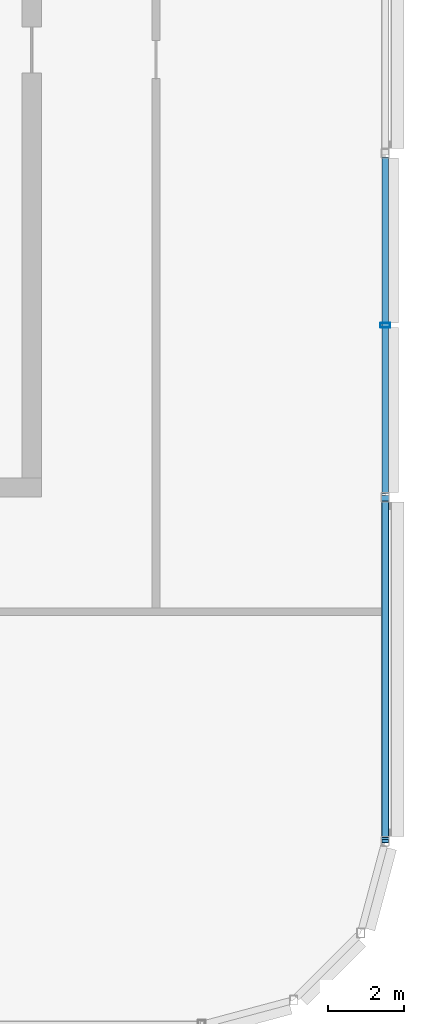
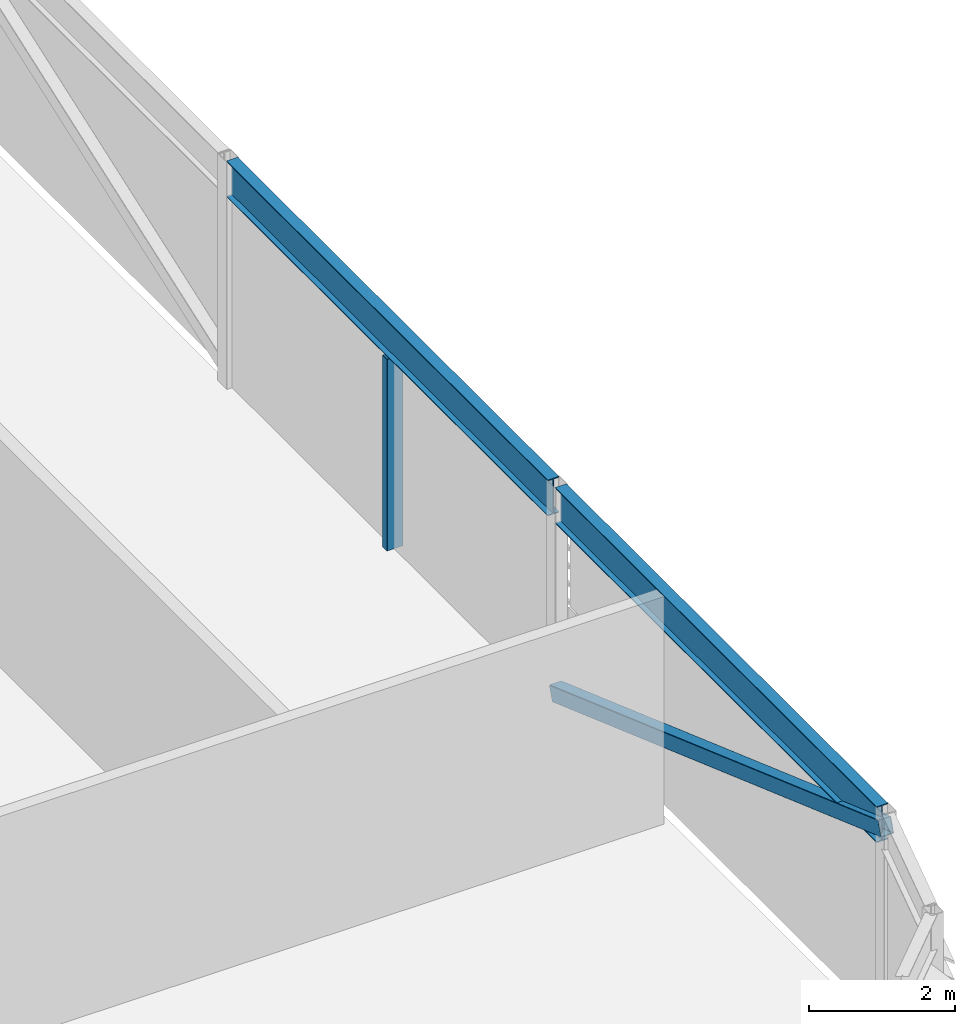
# One storey, part 9 of 28: 2 beams, 2 members.
"""IFC4 building model written with IfcOpenShell, lengths in metres."""

from ifc_helpers import new_model, si_unit, direction, frame, origin, origin_2d, place, context, subcontext, project, spatial, hollow_rectangle, i_section, extrude, material, material_profile, profile_set, type_object, element, save


model = new_model("IFC4")

# Units and contexts
model_context = context("Model", 3, precision=1e-05, world=origin(), true_north=direction((0.0, 1.0)))
body_context = subcontext(model_context, "Body", "Model", "MODEL_VIEW")
ifc_project = project(units=[si_unit("LENGTHUNIT", "METRE"), si_unit("AREAUNIT", "SQUARE_METRE"), si_unit("VOLUMEUNIT", "CUBIC_METRE"), si_unit("PLANEANGLEUNIT", "RADIAN"), si_unit("MASSUNIT", "GRAM", prefix="KILO")], contexts=[model_context])

# Site, building, storey
site_placement = place(None, origin())
site = spatial("IfcSite", under=ifc_project, at=site_placement, CompositionType="ELEMENT")
building_placement = place(site_placement, origin())
building = spatial("IfcBuilding", under=site, at=building_placement, Name="Madar Terraces", CompositionType="ELEMENT")
storey_placement = place(building_placement, frame((0.0, 0.0, 305.89990234375)))
storey = spatial("IfcBuildingStorey", under=building, at=storey_placement, Name="L79", CompositionType="ELEMENT", Elevation=305.89990234375)

# Beams
ifc_material_1 = material(Name="Steel ASTM A992 Grade 50", Category="steel")
ifc_material_profile_1 = material_profile(ifc_material_1, i_section(OverallWidth=0.1787109375, OverallDepth=0.60205078125, WebThickness=0.010986328125, FlangeThickness=0.014892578125, at=origin_2d()), Name="W24x62")
ifc_profile_set_1 = profile_set([ifc_material_profile_1], Name="Steel ASTM A992 Grade 50")
beam_type = type_object("IfcBeamType", Name="CF2 W24x62", PredefinedType="BEAM", material=ifc_profile_set_1)
for number, where, z_axis, x_axis, name in (
    (1, (56.39990234375, 6.1015625, 3.4990234375), (0.0, 1.0, 0.0), (-1.0, 0.0, 0.0), "Crown frame ring beam CF2"),
    (2, (56.39990234375, 15.1015625, 3.4990234375), (0.0, 1.0, 0.0), (-1.0, 0.0, 0.0), "Crown frame ring beam CF2"),
):
    element("IfcBeam", number, at=place(storey_placement, frame(where, z_axis=z_axis, x_axis=x_axis)), inside=storey, type_object=beam_type, Name=name, PredefinedType="BEAM", context=body_context, shape_type="SweptSolid", body=[
        extrude(i_section(OverallWidth=0.1787109375, OverallDepth=0.60205078125, WebThickness=0.010986328125, FlangeThickness=0.014892578125, at=origin_2d()), origin(), (0.0, 0.0, 1.0), 8.796875),
    ])

# Members
ifc_material_2 = material(Name="Steel ASTM A500 Grade C", Category="steel")
ifc_material_profile_2 = material_profile(ifc_material_2, hollow_rectangle(XDim=0.203125, YDim=0.25390625, WallThickness=0.009521484375, InnerFilletRadius=0.00439453125, OuterFilletRadius=0.01318359375, at=origin_2d()), Name="HSS10x8x.375")
ifc_profile_set_2 = profile_set([ifc_material_profile_2], Name="Steel ASTM A500 Grade C")
member_type_1 = type_object("IfcMemberType", Name="CF5 crown frame brace HSS10x8x.375", PredefinedType="BRACE", material=ifc_profile_set_2)
member_1_placement = place(storey_placement, frame((56.39990234375, 6.0, 3.4990234375), z_axis=(0.0, 0.942248571399, -0.334914361736), x_axis=(-1.0, 0.0, 0.0)))
element("IfcMember", 3, at=member_1_placement, inside=storey, type_object=member_type_1, Name="Crown frame brace CF5", PredefinedType="BRACE", context=body_context, shape_type="SweptSolid", body=[
    extrude(hollow_rectangle(XDim=0.203125, YDim=0.25390625, WallThickness=0.009521484375, InnerFilletRadius=0.00439453125, OuterFilletRadius=0.01318359375, at=origin_2d()), origin(), (0.0, 0.0, 1.0), 9.551513671875),
])
ifc_material_3 = material(Name="Steel ASTM A500 Grade C", Category="steel")
ifc_material_profile_3 = material_profile(ifc_material_3, hollow_rectangle(XDim=0.126953125, YDim=0.25390625, WallThickness=0.00634765625, InnerFilletRadius=0.0029296875, OuterFilletRadius=0.0087890625, at=origin_2d()), Name="HSS10x5x.25")
ifc_profile_set_3 = profile_set([ifc_material_profile_3], Name="Steel ASTM A500 Grade C")
member_type_2 = type_object("IfcMemberType", Name="LS2 HSS10x5x.25", PredefinedType="POST", material=ifc_profile_set_3)
member_2_placement = place(storey_placement, frame((56.39990234375, 19.5, 0.0), z_axis=(0.0, 0.0, 1.0), x_axis=(0.0, 1.0, 0.0)))
element("IfcMember", 4, at=member_2_placement, inside=storey, type_object=member_type_2, Name="Crown louvre post LS2", PredefinedType="POST", context=body_context, shape_type="SweptSolid", body=[
    extrude(hollow_rectangle(XDim=0.126953125, YDim=0.25390625, WallThickness=0.00634765625, InnerFilletRadius=0.0029296875, OuterFilletRadius=0.0087890625, at=origin_2d()), origin(), (0.0, 0.0, 1.0), 3.197998046875),
])

save(model, "model.ifc")
